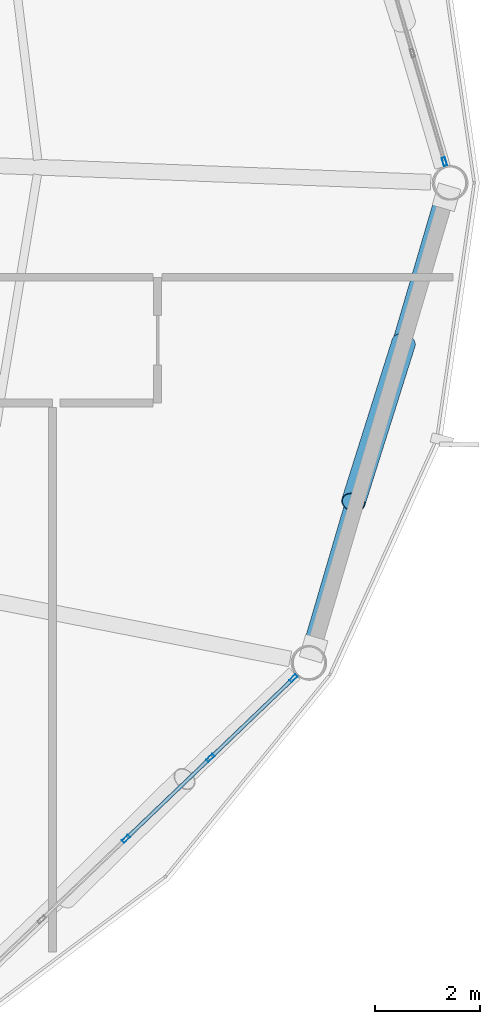
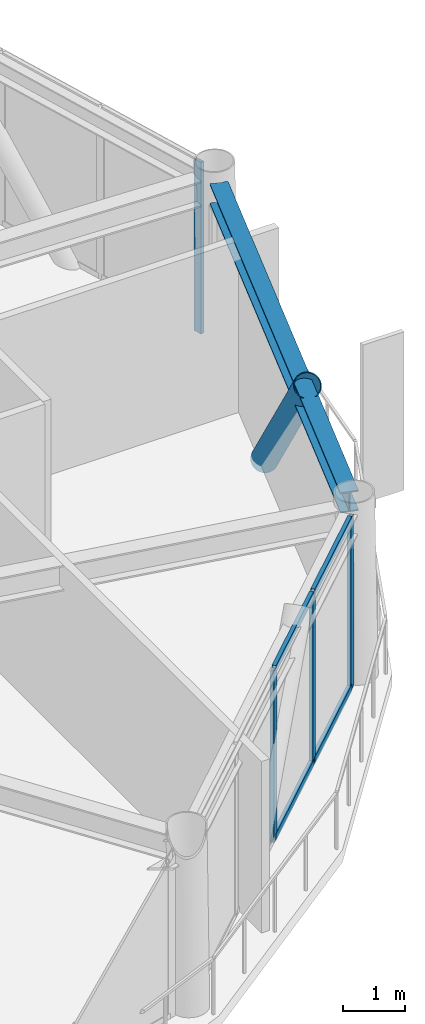
# One storey, part 15 of 28: 9 members, 1 beam, 2 elements without a shape of their own.
"""IFC4 building model written with IfcOpenShell, lengths in metres."""

import ifcopenshell
import ifcopenshell.guid

model = None  # the IFC model being written
_history = None  # IfcOwnerHistory: only IFC2X3 demands one
_inside = {}  # id of a spatial element -> (the spatial element, [elements in it])
_under = {}  # id of a project, library or spatial element -> (it, [spatial elements below it])
_declared = {}  # id of a project -> (the project, [libraries it declares])
_typed = {}  # id of a type object -> (the type object, [elements of that type])
_made_of = {}  # id of a material, layer set ... -> (it, [elements and type objects made of it])


def new_model(schema):
    """Start an empty IFC model of exactly this schema.

    Asked for "IFC4X3", IfcOpenShell would pick the latest addendum, in which some entities
    have other attributes; the version numbers below select the first issue.
    IFC2X3 requires an IfcOwnerHistory on every rooted entity: one is made here for all.
    """
    global model, _history
    if schema == "IFC4X3":
        model = ifcopenshell.file(schema_version=(4, 3, 0, 0))
    else:
        model = ifcopenshell.file(schema=schema)
    _inside.clear()
    _under.clear()
    _declared.clear()
    _typed.clear()
    _made_of.clear()
    _history = None
    if model.schema == "IFC2X3":
        org = make("IfcOrganization", Name="unknown")
        user = make(
            "IfcPersonAndOrganization",
            ThePerson=make("IfcPerson", FamilyName="unknown"),
            TheOrganization=org,
        )
        app = make(
            "IfcApplication",
            ApplicationDeveloper=org,
            Version="unknown",
            ApplicationFullName="unknown",
            ApplicationIdentifier="unknown",
        )
        _history = make(
            "IfcOwnerHistory",
            OwningUser=user,
            OwningApplication=app,
            ChangeAction="ADDED",
            CreationDate=0,
        )
    return model


def make(cls, **values):
    """One entity of the class cls with the attributes given. An attribute that is None is left unset."""
    return model.create_entity(
        cls, **{name: value for name, value in values.items() if value is not None}
    )


def rooted(cls, **values):
    """An entity with a GlobalId (a new one), such as an element, a storey or a relation."""
    return make(cls, GlobalId=ifcopenshell.guid.new(), OwnerHistory=_history, **values)


def si_unit(unit_type, name, prefix=None):
    """IfcSIUnit, for example si_unit("LENGTHUNIT", "METRE", prefix="MILLI")."""
    return make("IfcSIUnit", UnitType=unit_type, Prefix=prefix, Name=name)


def assignment(units):
    """IfcUnitAssignment: the units of a project."""
    return None if units is None else make("IfcUnitAssignment", Units=units)


def point(xyz):
    """IfcCartesianPoint."""
    return None if xyz is None else make("IfcCartesianPoint", Coordinates=xyz)


def direction(xyz):
    """IfcDirection."""
    return None if xyz is None else make("IfcDirection", DirectionRatios=xyz)


def frame(location, z_axis=None, x_axis=None):
    """IfcAxis2Placement3D, a coordinate frame: its origin and axes. An axis left out is left unset."""
    return make(
        "IfcAxis2Placement3D",
        Location=point(location),
        Axis=direction(z_axis),
        RefDirection=direction(x_axis),
    )


def frame_2d(location, x_axis=None):
    """IfcAxis2Placement2D, a coordinate frame in the plane: its origin and x axis."""
    return make(
        "IfcAxis2Placement2D", Location=point(location), RefDirection=direction(x_axis)
    )


def origin():
    """The frame at (0, 0, 0) with its axes left unset."""
    return frame((0.0, 0.0, 0.0))


def origin_2d():
    """The frame at (0, 0) in the plane with its x axis left unset."""
    return frame_2d((0.0, 0.0))


def place(relative_to, where):
    """IfcLocalPlacement: puts the frame where relative to a parent placement (None: the world)."""
    return make(
        "IfcLocalPlacement", PlacementRelTo=relative_to, RelativePlacement=where
    )


def context(
    kind, dimensions, precision=None, world=None, true_north=None, identifier=None
):
    """IfcGeometricRepresentationContext, for example the 3D "Model" context."""
    return make(
        "IfcGeometricRepresentationContext",
        ContextIdentifier=identifier,
        ContextType=kind,
        CoordinateSpaceDimension=dimensions,
        Precision=precision,
        WorldCoordinateSystem=world,
        TrueNorth=true_north,
    )


def subcontext(parent, identifier, kind, view, scale=None):
    """IfcGeometricRepresentationSubContext, for example "Body" below "Model"."""
    return make(
        "IfcGeometricRepresentationSubContext",
        ContextIdentifier=identifier,
        ContextType=kind,
        ParentContext=parent,
        TargetScale=scale,
        TargetView=view,
    )


def project(units=None, contexts=None):
    """IfcProject with its units and contexts."""
    return rooted(
        "IfcProject",
        Name="project",
        RepresentationContexts=contexts,
        UnitsInContext=assignment(units),
    )


def spatial(cls, under=None, at=None, **own):
    """A site, building, storey or space (cls), placed at a placement, below another one or the project."""
    s = rooted(cls, ObjectPlacement=at, **own)
    if under is not None:
        _under.setdefault(under.id(), (under, []))[1].append(s)
    return s


def profile(cls, at=None, kind="AREA", **sizes):
    """A parametric profile (cls). Its sizes go by their IFC names, for example OverallWidth=200.0."""
    return make(cls, ProfileType=kind, Position=at, **sizes)


def hollow_rectangle(**sizes):
    """IfcRectangleHollowProfileDef."""
    return profile("IfcRectangleHollowProfileDef", **sizes)


def hollow_circle(**sizes):
    """IfcCircleHollowProfileDef."""
    return profile("IfcCircleHollowProfileDef", **sizes)


def i_section(**sizes):
    """IfcIShapeProfileDef."""
    return profile("IfcIShapeProfileDef", **sizes)


def extrude(swept, where, along, depth):
    """IfcExtrudedAreaSolid: the profile swept, set in the frame where, extruded along a direction by depth."""
    return make(
        "IfcExtrudedAreaSolid",
        SweptArea=swept,
        Position=where,
        ExtrudedDirection=direction(along),
        Depth=depth,
    )


def shape(context_of_items, identifier, shape_type, items):
    """IfcShapeRepresentation: the items that make up one representation, for example the "Body"."""
    return make(
        "IfcShapeRepresentation",
        ContextOfItems=context_of_items,
        RepresentationIdentifier=identifier,
        RepresentationType=shape_type,
        Items=items,
    )


def material(Name=None, Category=None):
    """IfcMaterial."""
    return make("IfcMaterial", Name=Name, Category=Category)


def layer(
    of_material, thickness, ventilated=None, Name=None, Category=None, Priority=None
):
    """IfcMaterialLayer: one layer of a wall or slab, of a material (None: an air gap)."""
    return make(
        "IfcMaterialLayer",
        Material=of_material,
        LayerThickness=thickness,
        IsVentilated=ventilated,
        Name=Name,
        Category=Category,
        Priority=Priority,
    )


def layer_set(layers, Name=None):
    """IfcMaterialLayerSet."""
    return make("IfcMaterialLayerSet", MaterialLayers=layers, LayerSetName=Name)


def material_profile(
    of_material, cross_section, Name=None, Category=None, Priority=None
):
    """IfcMaterialProfile: a cross section and its material."""
    return make(
        "IfcMaterialProfile",
        Name=Name,
        Material=of_material,
        Profile=cross_section,
        Priority=Priority,
        Category=Category,
    )


def profile_set(profiles, Name=None, composite=None):
    """IfcMaterialProfileSet."""
    return make(
        "IfcMaterialProfileSet",
        Name=Name,
        MaterialProfiles=profiles,
        CompositeProfile=composite,
    )


def made_of(thing, what):
    """Note that an element or type object is made of a material, layer set ...; save() writes the relation."""
    if what is not None:
        _made_of.setdefault(what.id(), (what, []))[1].append(thing)
    return thing


def type_object(cls, material=None, **own):
    """A type object (cls), such as IfcWallType, which elements share."""
    return made_of(rooted(cls, **own), material)


def element(
    cls,
    number,
    at=None,
    inside=None,
    cuts=None,
    type_object=None,
    material=None,
    context=None,
    identifier="Body",
    shape_type=None,
    held_by="IfcProductDefinitionShape",
    body=None,
    shapes=None,
    **own,
):
    """One element of the class cls, such as IfcWall. Its Tag is "e" and its number.

    at: its placement. inside: the storey or other place that contains it. cuts: it is an
    opening in that element (IfcRelVoidsElement). A single representation is given by context,
    identifier, shape_type and body (its items); several are given by shapes. held_by: the class
    of the entity that holds the representations. save() writes the other relations.
    """
    e = rooted(cls, Tag="e%d" % number, ObjectPlacement=at, **own)
    if body is not None:
        shapes = [shape(context, identifier, shape_type, body)]
    if shapes is not None:
        e.Representation = make(held_by, Representations=shapes)
    if inside is not None:
        _inside.setdefault(inside.id(), (inside, []))[1].append(e)
    if cuts is not None:
        rooted(
            "IfcRelVoidsElement", RelatingBuildingElement=cuts, RelatedOpeningElement=e
        )
    if type_object is not None:
        _typed.setdefault(type_object.id(), (type_object, []))[1].append(e)
    return made_of(e, material)


def aggregate(whole, parts):
    """IfcRelAggregates: a whole, such as a stair, and the parts it consists of."""
    return rooted("IfcRelAggregates", RelatingObject=whole, RelatedObjects=parts)


def save(model, path):
    """Write the relations noted so far, then the file.

    IfcRelAggregates (storeys below a building ...), IfcRelContainedInSpatialStructure (elements
    in a storey), IfcRelDefinesByType, IfcRelAssociatesMaterial and IfcRelDeclares: one each for
    every whole, place, type object, material and project.
    """
    for whole, parts in _under.values():
        aggregate(whole, parts)
    for where, things in _inside.values():
        rooted(
            "IfcRelContainedInSpatialStructure",
            RelatedElements=things,
            RelatingStructure=where,
        )
    for kind, things in _typed.values():
        rooted("IfcRelDefinesByType", RelatedObjects=things, RelatingType=kind)
    for what, things in _made_of.values():
        rooted("IfcRelAssociatesMaterial", RelatedObjects=things, RelatingMaterial=what)
    for by, libraries in _declared.values():
        rooted("IfcRelDeclares", RelatingContext=by, RelatedDefinitions=libraries)
    model.write(path)


model = new_model("IFC4")

# Units and contexts
model_context = context("Model", 3, precision=1e-05, world=origin(), true_north=direction((0.0, 1.0)))
body_context = subcontext(model_context, "Body", "Model", "MODEL_VIEW")
ifc_project = project(units=[si_unit("LENGTHUNIT", "METRE"), si_unit("AREAUNIT", "SQUARE_METRE"), si_unit("VOLUMEUNIT", "CUBIC_METRE"), si_unit("PLANEANGLEUNIT", "RADIAN"), si_unit("MASSUNIT", "GRAM", prefix="KILO")], contexts=[model_context])

# Site, building, storey
site_placement = place(None, origin())
site = spatial("IfcSite", under=ifc_project, at=site_placement, CompositionType="ELEMENT")
building_placement = place(site_placement, origin())
building = spatial("IfcBuilding", under=site, at=building_placement, Name="Varnakorn Sky Granary", CompositionType="ELEMENT")
storey_placement = place(building_placement, frame((0.0, 0.0, 207.60009765625)))
storey = spatial("IfcBuildingStorey", under=building, at=storey_placement, Name="L52", CompositionType="ELEMENT", Elevation=207.60009765625)

# Beam
ifc_material_1 = material(Name="Steel S355JR", Category="steel")
ifc_material_profile_1 = material_profile(ifc_material_1, i_section(OverallWidth=0.300048828125, OverallDepth=0.39990234375, WebThickness=0.013427734375, FlangeThickness=0.02392578125, at=origin_2d()), Name="HE 400 B")
ifc_profile_set_1 = profile_set([ifc_material_profile_1], Name="Steel S355JR")
beam_type = type_object("IfcBeamType", Name="BM-SPD-Z4", PredefinedType="SPANDREL", material=ifc_profile_set_1)
beam_placement = place(storey_placement, frame((21.42626953125, -8.835693359375, 3.159912109375), z_axis=(0.281956777756, 0.959427107954, 0.0), x_axis=(-0.959427107954, 0.281956777756, 0.0)))
element("IfcBeam", 1, at=beam_placement, inside=storey, type_object=beam_type, Name="Perimeter Spandrel Ring Beam RB12 L52", PredefinedType="SPANDREL", context=body_context, shape_type="SweptSolid", body=[
    extrude(i_section(OverallWidth=0.300048828125, OverallDepth=0.39990234375, WebThickness=0.013427734375, FlangeThickness=0.02392578125, at=origin_2d()), origin(), (0.0, 0.0, 1.0), 8.894287109375),
])

# Curtain wall, member
ifc_material_2 = material(Name="Anodised Bronze Aluminium Alloy 6063-T6", Category="aluminium")
ifc_layer = layer(ifc_material_2, 0.169921875, Name="Anodised Bronze Aluminium Alloy 6063-T6")
ifc_layer_set = layer_set([ifc_layer], Name="Anodised Bronze Aluminium Alloy 6063-T6")
curtain_wall_type = type_object("IfcCurtainWallType", Name="CW-LAB-1", PredefinedType="USERDEFINED", material=ifc_layer_set)
curtain_wall_1_placement = place(storey_placement, origin())
curtain_wall_1 = element("IfcCurtainWall", 2, at=curtain_wall_1_placement, inside=storey, type_object=curtain_wall_type, Name="Unitised Curtain Wall CW5 CW-L52-B01", ObjectType="CURTAIN WALL", PredefinedType="USERDEFINED")
ifc_material_profile_2 = material_profile(ifc_material_2, hollow_rectangle(XDim=0.06494140625, YDim=0.159912109375, WallThickness=0.00341796875, at=origin_2d()), Name="ALU MULL 65x160")
ifc_profile_set_2 = profile_set([ifc_material_profile_2], Name="Anodised Bronze Aluminium Alloy 6063-T6")
member_type_1 = type_object("IfcMemberType", Name="CW-LAB-1-MULL", PredefinedType="MULLION", material=ifc_profile_set_2)
member_1_placement = place(storey_placement, frame((23.970703125, 0.4052734375, 0.0), z_axis=(0.0, 0.0, 1.0), x_axis=(0.959309517364, 0.282356600585, 0.0)))
member_1 = element("IfcMember", 3, at=member_1_placement, type_object=member_type_1, Name="CW5 mullion 5", PredefinedType="MULLION", context=body_context, shape_type="SweptSolid", body=[
    extrude(hollow_rectangle(XDim=0.06494140625, YDim=0.159912109375, WallThickness=0.00341796875, at=origin_2d()), origin(), (0.0, 0.0, 1.0), 3.35986328125),
])
aggregate(curtain_wall_1, [member_1])

# Curtain wall, members
curtain_wall_2_placement = place(storey_placement, origin())
curtain_wall_2 = element("IfcCurtainWall", 4, at=curtain_wall_2_placement, inside=storey, type_object=curtain_wall_type, Name="Unitised Curtain Wall CW5 CW-L52-B11", ObjectType="CURTAIN WALL", PredefinedType="USERDEFINED")
member_2_placement = place(storey_placement, frame((21.09033203125, -9.447265625, 0.0), z_axis=(0.0, 0.0, 1.0), x_axis=(0.691923166337, -0.721971143389, 0.0)))
member_2 = element("IfcMember", 5, at=member_2_placement, type_object=member_type_1, Name="CW5 mullion 1", PredefinedType="MULLION", context=body_context, shape_type="SweptSolid", body=[
    extrude(hollow_rectangle(XDim=0.06494140625, YDim=0.159912109375, WallThickness=0.00341796875, at=origin_2d()), origin(), (0.0, 0.0, 1.0), 3.35986328125),
])
member_3_placement = place(storey_placement, frame((19.50634765625, -10.96533203125, 0.0), z_axis=(0.0, 0.0, 1.0), x_axis=(0.691923166337, -0.721971143389, 0.0)))
member_3 = element("IfcMember", 6, at=member_3_placement, type_object=member_type_1, Name="CW5 mullion 2", PredefinedType="MULLION", context=body_context, shape_type="SweptSolid", body=[
    extrude(hollow_rectangle(XDim=0.06494140625, YDim=0.159912109375, WallThickness=0.00341796875, at=origin_2d()), origin(), (0.0, 0.0, 1.0), 3.35986328125),
])
member_4_placement = place(storey_placement, frame((17.89892578125, -12.505859375, 0.0), z_axis=(0.0, 0.0, 1.0), x_axis=(0.691923166337, -0.721971143389, 0.0)))
member_4 = element("IfcMember", 7, at=member_4_placement, type_object=member_type_1, Name="CW5 mullion 3", PredefinedType="MULLION", context=body_context, shape_type="SweptSolid", body=[
    extrude(hollow_rectangle(XDim=0.06494140625, YDim=0.159912109375, WallThickness=0.00341796875, at=origin_2d()), origin(), (0.0, 0.0, 1.0), 3.35986328125),
])
ifc_material_profile_3 = material_profile(ifc_material_2, hollow_rectangle(XDim=0.070068359375, YDim=0.139892578125, WallThickness=0.00341796875, at=origin_2d()), Name="ALU TRAN 70x140")
ifc_profile_set_3 = profile_set([ifc_material_profile_3], Name="Anodised Bronze Aluminium Alloy 6063-T6")
member_type_2 = type_object("IfcMemberType", Name="CW-LAB-1-TRAN", PredefinedType="USERDEFINED", material=ifc_profile_set_3)
member_5_placement = place(storey_placement, frame((21.06689453125, -9.469970703125, 0.034912109375), z_axis=(-0.722026396147, -0.691865509523, 0.0), x_axis=(0.691865509523, -0.722026396147, 0.0)))
member_5 = element("IfcMember", 8, at=member_5_placement, type_object=member_type_2, Name="CW5 transom 1.1", ObjectType="TRANSOM", PredefinedType="USERDEFINED", context=body_context, shape_type="SweptSolid", body=[
    extrude(hollow_rectangle(XDim=0.070068359375, YDim=0.139892578125, WallThickness=0.00341796875, at=origin_2d()), origin(), (0.0, 0.0, 1.0), 2.12890625),
])
member_6_placement = place(storey_placement, frame((21.06689453125, -9.469970703125, 3.324951171875), z_axis=(-0.722026396147, -0.691865509523, 0.0), x_axis=(0.691865509523, -0.722026396147, 0.0)))
member_6 = element("IfcMember", 9, at=member_6_placement, type_object=member_type_2, Name="CW5 transom 1.2", ObjectType="TRANSOM", PredefinedType="USERDEFINED", context=body_context, shape_type="SweptSolid", body=[
    extrude(hollow_rectangle(XDim=0.070068359375, YDim=0.139892578125, WallThickness=0.00341796875, at=origin_2d()), origin(), (0.0, 0.0, 1.0), 2.12890625),
])
member_7_placement = place(storey_placement, frame((19.48291015625, -10.98779296875, 0.034912109375), z_axis=(-0.721969397067, -0.691924988491, 0.0), x_axis=(0.691924988491, -0.721969397067, 0.0)))
member_7 = element("IfcMember", 10, at=member_7_placement, type_object=member_type_2, Name="CW5 transom 2.1", ObjectType="TRANSOM", PredefinedType="USERDEFINED", context=body_context, shape_type="SweptSolid", body=[
    extrude(hollow_rectangle(XDim=0.070068359375, YDim=0.139892578125, WallThickness=0.00341796875, at=origin_2d()), origin(), (0.0, 0.0, 1.0), 2.16162109375),
])
member_8_placement = place(storey_placement, frame((19.48291015625, -10.98779296875, 3.324951171875), z_axis=(-0.721969397067, -0.691924988491, 0.0), x_axis=(0.691924988491, -0.721969397067, 0.0)))
member_8 = element("IfcMember", 11, at=member_8_placement, type_object=member_type_2, Name="CW5 transom 2.2", ObjectType="TRANSOM", PredefinedType="USERDEFINED", context=body_context, shape_type="SweptSolid", body=[
    extrude(hollow_rectangle(XDim=0.070068359375, YDim=0.139892578125, WallThickness=0.00341796875, at=origin_2d()), origin(), (0.0, 0.0, 1.0), 2.16162109375),
])
aggregate(curtain_wall_2, [member_2, member_3, member_4, member_5, member_6, member_7, member_8])

# Member
ifc_material_3 = material(Name="Steel S460M", Category="steel")
ifc_material_profile_4 = material_profile(ifc_material_3, hollow_circle(Radius=0.228515625, WallThickness=0.01611328125, at=origin_2d()), Name="CHS 457x16")
ifc_profile_set_4 = profile_set([ifc_material_profile_4], Name="Steel S460M")
member_type_3 = type_object("IfcMemberType", Name="MB-DIAG-T3", PredefinedType="BRACE", material=ifc_profile_set_4)
member_9_placement = place(storey_placement, frame((23.19189453125, -3.0517578125, -0.130126953125), z_axis=(-0.198854817293, -0.630272089527, 0.750475752309), x_axis=(0.953660178768, -0.300885797991, 0.0)))
element("IfcMember", 12, at=member_9_placement, inside=storey, type_object=member_type_3, Name="Perimeter CHS Diagrid Brace DG12 L52", PredefinedType="BRACE", context=body_context, shape_type="SweptSolid", body=[
    extrude(hollow_circle(Radius=0.228515625, WallThickness=0.01611328125, at=origin_2d()), origin(), (0.0, 0.0, 1.0), 4.82373046875),
])

save(model, "model.ifc")
